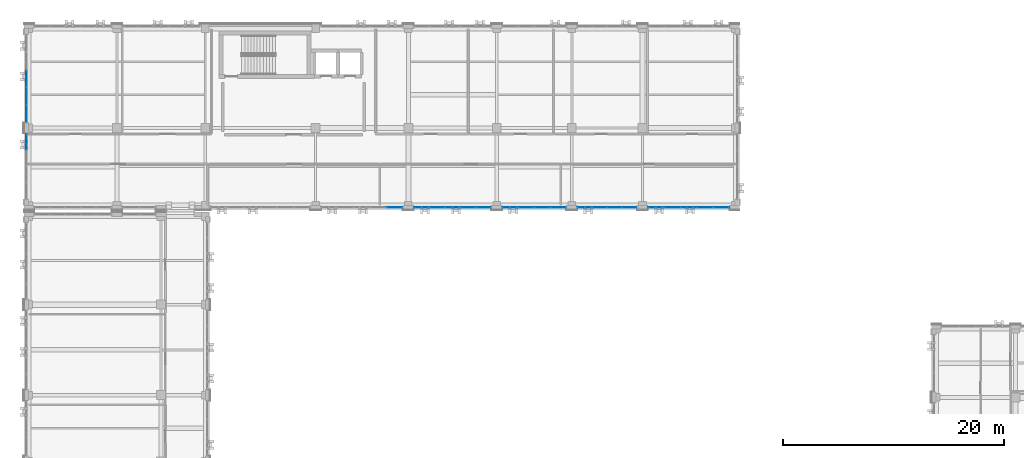
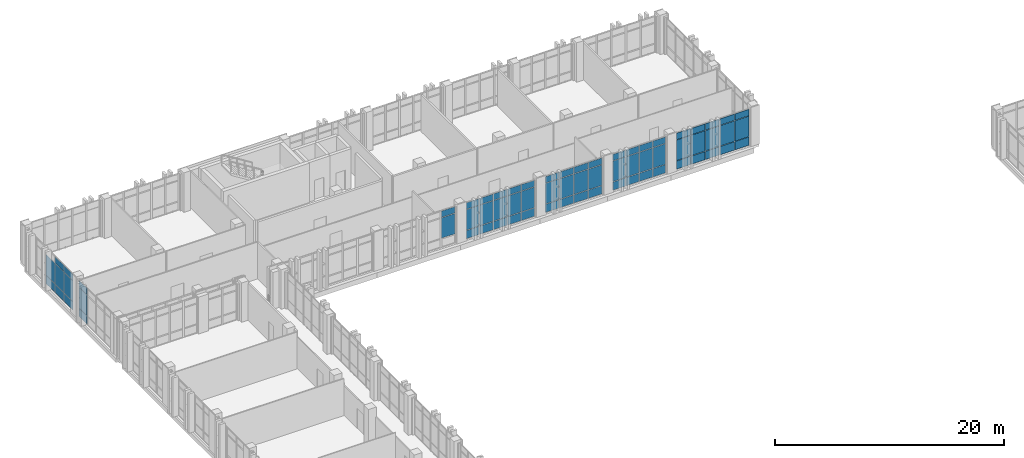
# One storey, part 123 of 158: 67 plates, 7 elements without a shape of their own.
"""IFC4 building model written with IfcOpenShell, lengths in metres."""

from ifc_helpers import new_model, si_unit, direction, frame, origin, origin_2d, place, context, subcontext, project, spatial, rectangle, extrude, material, layer, layer_set, type_object, element, aggregate, save


model = new_model("IFC4")

# Units and contexts
model_context = context("Model", 3, precision=1e-05, world=origin(), true_north=direction((0.0, 1.0)))
body_context = subcontext(model_context, "Body", "Model", "MODEL_VIEW")
ifc_project = project(units=[si_unit("LENGTHUNIT", "METRE"), si_unit("AREAUNIT", "SQUARE_METRE"), si_unit("VOLUMEUNIT", "CUBIC_METRE"), si_unit("PLANEANGLEUNIT", "RADIAN"), si_unit("MASSUNIT", "GRAM", prefix="KILO")], contexts=[model_context])

# Site, building, storey
site_placement = place(None, origin())
site = spatial("IfcSite", under=ifc_project, at=site_placement, CompositionType="ELEMENT")
building_placement = place(site_placement, origin())
building = spatial("IfcBuilding", under=site, at=building_placement, Name="Qalavern Law Courts", CompositionType="ELEMENT")
storey_placement = place(building_placement, frame((0.0, 0.0, 18.60009765625)))
storey = spatial("IfcBuildingStorey", under=building, at=storey_placement, Name="L04", CompositionType="ELEMENT", Elevation=18.60009765625)

# Curtain wall, plates
ifc_material_1 = material(Name="Anodised aluminium and insulated glazing", Category="aluminium")
ifc_layer_1 = layer(ifc_material_1, 0.166015625)
ifc_layer_set_1 = layer_set([ifc_layer_1], Name="Anodised aluminium and insulated glazing")
curtain_wall_type = type_object("IfcCurtainWallType", Name="ENV-CW-LIB", PredefinedType="USERDEFINED", material=ifc_layer_set_1)
curtain_wall_1_placement = place(storey_placement, origin())
curtain_wall_1 = element("IfcCurtainWall", 1, at=curtain_wall_1_placement, inside=storey, type_object=curtain_wall_type, Name="V5 unitised curtain wall L04 west 1", ObjectType="UNITISED CURTAIN WALL", PredefinedType="USERDEFINED")
ifc_material_2 = material(Name="Insulated low-E acoustic glazing", Category="glass")
ifc_layer_2 = layer(ifc_material_2, 0.02392578125)
ifc_layer_set_2 = layer_set([ifc_layer_2], Name="Insulated low-E acoustic glazing")
plate_type_1 = type_object("IfcPlateType", Name="ENV-CWP-24", PredefinedType="CURTAIN_PANEL", material=ifc_layer_set_2)
plate_1_placement = place(storey_placement, frame((2.199951171875, 108.077392578125, 0.0478515625), z_axis=(0.0, 0.0, 1.0), x_axis=(0.0, -1.0, 0.0)))
plate_1 = element("IfcPlate", 2, at=plate_1_placement, type_object=plate_type_1, Name="CW-05 panel 3.1", PredefinedType="CURTAIN_PANEL", context=body_context, shape_type="SweptSolid", body=[
    extrude(rectangle(XDim=1.54296875, YDim=0.02392578125, at=origin_2d()), origin(), (0.0, 0.0, 1.0), 0.8779296875),
])
plate_2_placement = place(storey_placement, frame((2.199951171875, 108.077392578125, 0.97412109375), z_axis=(0.0, 0.0, 1.0), x_axis=(0.0, -1.0, 0.0)))
plate_2 = element("IfcPlate", 3, at=plate_2_placement, type_object=plate_type_1, Name="CW-05 panel 3.2", PredefinedType="CURTAIN_PANEL", context=body_context, shape_type="SweptSolid", body=[
    extrude(rectangle(XDim=1.54296875, YDim=0.02392578125, at=origin_2d()), origin(), (0.0, 0.0, 1.0), 2.177001953125),
])
plate_3_placement = place(storey_placement, frame((2.199951171875, 106.486572265625, 0.0478515625), z_axis=(0.0, 0.0, 1.0), x_axis=(0.0, -1.0, 0.0)))
plate_3 = element("IfcPlate", 4, at=plate_3_placement, type_object=plate_type_1, Name="CW-05 panel 4.1", PredefinedType="CURTAIN_PANEL", context=body_context, shape_type="SweptSolid", body=[
    extrude(rectangle(XDim=1.54296875, YDim=0.02392578125, at=origin_2d()), origin(), (0.0, 0.0, 1.0), 0.8779296875),
])
plate_4_placement = place(storey_placement, frame((2.199951171875, 106.486572265625, 0.97412109375), z_axis=(0.0, 0.0, 1.0), x_axis=(0.0, -1.0, 0.0)))
plate_4 = element("IfcPlate", 5, at=plate_4_placement, type_object=plate_type_1, Name="CW-05 panel 4.2", PredefinedType="CURTAIN_PANEL", context=body_context, shape_type="SweptSolid", body=[
    extrude(rectangle(XDim=1.54296875, YDim=0.02392578125, at=origin_2d()), origin(), (0.0, 0.0, 1.0), 2.177001953125),
])
plate_5_placement = place(storey_placement, frame((2.199951171875, 106.486572265625, 3.19873046875), z_axis=(0.0, 0.0, 1.0), x_axis=(0.0, -1.0, 0.0)))
plate_5 = element("IfcPlate", 6, at=plate_5_placement, type_object=plate_type_1, Name="CW-05 panel 4.3", PredefinedType="CURTAIN_PANEL", context=body_context, shape_type="SweptSolid", body=[
    extrude(rectangle(XDim=1.54296875, YDim=0.02392578125, at=origin_2d()), origin(), (0.0, 0.0, 1.0), 0.677978515625),
])
plate_6_placement = place(storey_placement, frame((2.199951171875, 104.907470703125, 0.0478515625), z_axis=(0.0, 0.0, 1.0), x_axis=(0.0, -1.0, 0.0)))
plate_6 = element("IfcPlate", 7, at=plate_6_placement, type_object=plate_type_1, Name="CW-05 panel 5.1", PredefinedType="CURTAIN_PANEL", context=body_context, shape_type="SweptSolid", body=[
    extrude(rectangle(XDim=1.51904296875, YDim=0.02392578125, at=origin_2d()), origin(), (0.0, 0.0, 1.0), 0.8779296875),
])
plate_7_placement = place(storey_placement, frame((2.199951171875, 104.907470703125, 0.97412109375), z_axis=(0.0, 0.0, 1.0), x_axis=(0.0, -1.0, 0.0)))
plate_7 = element("IfcPlate", 8, at=plate_7_placement, type_object=plate_type_1, Name="CW-05 panel 5.2", PredefinedType="CURTAIN_PANEL", context=body_context, shape_type="SweptSolid", body=[
    extrude(rectangle(XDim=1.51904296875, YDim=0.02392578125, at=origin_2d()), origin(), (0.0, 0.0, 1.0), 2.177001953125),
])
plate_8_placement = place(storey_placement, frame((2.199951171875, 104.907470703125, 3.19873046875), z_axis=(0.0, 0.0, 1.0), x_axis=(0.0, -1.0, 0.0)))
plate_8 = element("IfcPlate", 9, at=plate_8_placement, type_object=plate_type_1, Name="CW-05 panel 5.3", PredefinedType="CURTAIN_PANEL", context=body_context, shape_type="SweptSolid", body=[
    extrude(rectangle(XDim=1.51904296875, YDim=0.02392578125, at=origin_2d()), origin(), (0.0, 0.0, 1.0), 0.677978515625),
])
aggregate(curtain_wall_1, [plate_1, plate_2, plate_3, plate_4, plate_5, plate_6, plate_7, plate_8])

curtain_wall_2_placement = place(storey_placement, origin())
curtain_wall_2 = element("IfcCurtainWall", 10, at=curtain_wall_2_placement, inside=storey, type_object=curtain_wall_type, Name="V5 unitised curtain wall L04 west 2", ObjectType="UNITISED CURTAIN WALL", PredefinedType="USERDEFINED")
ifc_layer_3 = layer(ifc_material_2, 0.028076171875)
ifc_layer_set_3 = layer_set([ifc_layer_3], Name="Insulated low-E acoustic glazing")
plate_type_2 = type_object("IfcPlateType", Name="ENV-CWP-28", PredefinedType="CURTAIN_PANEL", material=ifc_layer_set_3)
plate_9_placement = place(storey_placement, frame((2.199951171875, 102.343505859375, 0.0478515625), z_axis=(0.0, 0.0, 1.0), x_axis=(0.0, -1.0, 0.0)))
plate_9 = element("IfcPlate", 11, at=plate_9_placement, type_object=plate_type_2, Name="CW-05 panel 1.1", PredefinedType="CURTAIN_PANEL", context=body_context, shape_type="SweptSolid", body=[
    extrude(rectangle(XDim=1.416748046875, YDim=0.028076171875, at=origin_2d()), origin(), (0.0, 0.0, 1.0), 0.8779296875),
])
plate_10_placement = place(storey_placement, frame((2.199951171875, 102.343505859375, 0.97412109375), z_axis=(0.0, 0.0, 1.0), x_axis=(0.0, -1.0, 0.0)))
plate_10 = element("IfcPlate", 12, at=plate_10_placement, type_object=plate_type_2, Name="CW-05 panel 1.2", PredefinedType="CURTAIN_PANEL", context=body_context, shape_type="SweptSolid", body=[
    extrude(rectangle(XDim=1.416748046875, YDim=0.028076171875, at=origin_2d()), origin(), (0.0, 0.0, 1.0), 2.177001953125),
])
plate_11_placement = place(storey_placement, frame((2.199951171875, 102.343505859375, 3.19873046875), z_axis=(0.0, 0.0, 1.0), x_axis=(0.0, -1.0, 0.0)))
plate_11 = element("IfcPlate", 13, at=plate_11_placement, type_object=plate_type_2, Name="CW-05 panel 1.3", PredefinedType="CURTAIN_PANEL", context=body_context, shape_type="SweptSolid", body=[
    extrude(rectangle(XDim=1.416748046875, YDim=0.028076171875, at=origin_2d()), origin(), (0.0, 0.0, 1.0), 0.677978515625),
])
aggregate(curtain_wall_2, [plate_9, plate_10, plate_11])

curtain_wall_3_placement = place(storey_placement, origin())
curtain_wall_3 = element("IfcCurtainWall", 14, at=curtain_wall_3_placement, inside=storey, type_object=curtain_wall_type, Name="V5 unitised curtain wall L04 south 2", ObjectType="UNITISED CURTAIN WALL", PredefinedType="USERDEFINED")
ifc_layer_4 = layer(ifc_material_2, 0.031982421875)
ifc_layer_set_4 = layer_set([ifc_layer_4], Name="Insulated low-E acoustic glazing")
plate_type_3 = type_object("IfcPlateType", Name="ENV-CWP-32", PredefinedType="CURTAIN_PANEL", material=ifc_layer_set_4)
plate_12_placement = place(storey_placement, frame((35.548095703125, 96.39990234375, 0.97412109375), z_axis=(0.0, 0.0, 1.0), x_axis=(1.0, 0.0, 0.0)))
plate_12 = element("IfcPlate", 15, at=plate_12_placement, type_object=plate_type_3, Name="CW-05 panel 5.2", PredefinedType="CURTAIN_PANEL", context=body_context, shape_type="SweptSolid", body=[
    extrude(rectangle(XDim=1.407958984375, YDim=0.031982421875, at=origin_2d()), origin(), (0.0, 0.0, 1.0), 2.177001953125),
])
plate_13_placement = place(storey_placement, frame((35.548095703125, 96.39990234375, 3.19873046875), z_axis=(0.0, 0.0, 1.0), x_axis=(1.0, 0.0, 0.0)))
plate_13 = element("IfcPlate", 16, at=plate_13_placement, type_object=plate_type_3, Name="CW-05 panel 5.3", PredefinedType="CURTAIN_PANEL", context=body_context, shape_type="SweptSolid", body=[
    extrude(rectangle(XDim=1.407958984375, YDim=0.031982421875, at=origin_2d()), origin(), (0.0, 0.0, 1.0), 0.677978515625),
])
aggregate(curtain_wall_3, [plate_12, plate_13])

curtain_wall_4_placement = place(storey_placement, origin())
curtain_wall_4 = element("IfcCurtainWall", 17, at=curtain_wall_4_placement, inside=storey, type_object=curtain_wall_type, Name="V5 unitised curtain wall L04 south 3", ObjectType="UNITISED CURTAIN WALL", PredefinedType="USERDEFINED")
ifc_layer_5 = layer(ifc_material_2, 0.035888671875)
ifc_layer_set_5 = layer_set([ifc_layer_5], Name="Insulated low-E acoustic glazing")
plate_type_4 = type_object("IfcPlateType", Name="ENV-CWP-36", PredefinedType="CURTAIN_PANEL", material=ifc_layer_set_5)
plate_14_placement = place(storey_placement, frame((38.011962890625, 96.39990234375, 0.0478515625), z_axis=(0.0, 0.0, 1.0), x_axis=(1.0, 0.0, 0.0)))
plate_14 = element("IfcPlate", 18, at=plate_14_placement, type_object=plate_type_4, Name="CW-05 panel 1.1", PredefinedType="CURTAIN_PANEL", context=body_context, shape_type="SweptSolid", body=[
    extrude(rectangle(XDim=1.327880859375, YDim=0.035888671875, at=origin_2d()), origin(), (0.0, 0.0, 1.0), 0.8779296875),
])
plate_15_placement = place(storey_placement, frame((38.011962890625, 96.39990234375, 0.97412109375), z_axis=(0.0, 0.0, 1.0), x_axis=(1.0, 0.0, 0.0)))
plate_15 = element("IfcPlate", 19, at=plate_15_placement, type_object=plate_type_4, Name="CW-05 panel 1.2", PredefinedType="CURTAIN_PANEL", context=body_context, shape_type="SweptSolid", body=[
    extrude(rectangle(XDim=1.327880859375, YDim=0.035888671875, at=origin_2d()), origin(), (0.0, 0.0, 1.0), 2.177001953125),
])
plate_16_placement = place(storey_placement, frame((38.011962890625, 96.39990234375, 3.19873046875), z_axis=(0.0, 0.0, 1.0), x_axis=(1.0, 0.0, 0.0)))
plate_16 = element("IfcPlate", 20, at=plate_16_placement, type_object=plate_type_4, Name="CW-05 panel 1.3", PredefinedType="CURTAIN_PANEL", context=body_context, shape_type="SweptSolid", body=[
    extrude(rectangle(XDim=1.327880859375, YDim=0.035888671875, at=origin_2d()), origin(), (0.0, 0.0, 1.0), 0.677978515625),
])
plate_17_placement = place(storey_placement, frame((39.39990234375, 96.39990234375, 0.0478515625), z_axis=(0.0, 0.0, 1.0), x_axis=(1.0, 0.0, 0.0)))
plate_17 = element("IfcPlate", 21, at=plate_17_placement, type_object=plate_type_4, Name="CW-05 panel 2.1", PredefinedType="CURTAIN_PANEL", context=body_context, shape_type="SweptSolid", body=[
    extrude(rectangle(XDim=1.35205078125, YDim=0.035888671875, at=origin_2d()), origin(), (0.0, 0.0, 1.0), 0.8779296875),
])
plate_18_placement = place(storey_placement, frame((39.39990234375, 96.39990234375, 0.97412109375), z_axis=(0.0, 0.0, 1.0), x_axis=(1.0, 0.0, 0.0)))
plate_18 = element("IfcPlate", 22, at=plate_18_placement, type_object=plate_type_4, Name="CW-05 panel 2.2", PredefinedType="CURTAIN_PANEL", context=body_context, shape_type="SweptSolid", body=[
    extrude(rectangle(XDim=1.35205078125, YDim=0.035888671875, at=origin_2d()), origin(), (0.0, 0.0, 1.0), 2.177001953125),
])
plate_19_placement = place(storey_placement, frame((39.39990234375, 96.39990234375, 3.19873046875), z_axis=(0.0, 0.0, 1.0), x_axis=(1.0, 0.0, 0.0)))
plate_19 = element("IfcPlate", 23, at=plate_19_placement, type_object=plate_type_4, Name="CW-05 panel 2.3", PredefinedType="CURTAIN_PANEL", context=body_context, shape_type="SweptSolid", body=[
    extrude(rectangle(XDim=1.35205078125, YDim=0.035888671875, at=origin_2d()), origin(), (0.0, 0.0, 1.0), 0.677978515625),
])
plate_20_placement = place(storey_placement, frame((40.800048828125, 96.39990234375, 0.0478515625), z_axis=(0.0, 0.0, 1.0), x_axis=(1.0, 0.0, 0.0)))
plate_20 = element("IfcPlate", 24, at=plate_20_placement, type_object=plate_type_4, Name="CW-05 panel 3.1", PredefinedType="CURTAIN_PANEL", context=body_context, shape_type="SweptSolid", body=[
    extrude(rectangle(XDim=1.35205078125, YDim=0.035888671875, at=origin_2d()), origin(), (0.0, 0.0, 1.0), 0.8779296875),
])
plate_21_placement = place(storey_placement, frame((40.800048828125, 96.39990234375, 0.97412109375), z_axis=(0.0, 0.0, 1.0), x_axis=(1.0, 0.0, 0.0)))
plate_21 = element("IfcPlate", 25, at=plate_21_placement, type_object=plate_type_4, Name="CW-05 panel 3.2", PredefinedType="CURTAIN_PANEL", context=body_context, shape_type="SweptSolid", body=[
    extrude(rectangle(XDim=1.35205078125, YDim=0.035888671875, at=origin_2d()), origin(), (0.0, 0.0, 1.0), 2.177001953125),
])
plate_22_placement = place(storey_placement, frame((40.800048828125, 96.39990234375, 3.19873046875), z_axis=(0.0, 0.0, 1.0), x_axis=(1.0, 0.0, 0.0)))
plate_22 = element("IfcPlate", 26, at=plate_22_placement, type_object=plate_type_4, Name="CW-05 panel 3.3", PredefinedType="CURTAIN_PANEL", context=body_context, shape_type="SweptSolid", body=[
    extrude(rectangle(XDim=1.35205078125, YDim=0.035888671875, at=origin_2d()), origin(), (0.0, 0.0, 1.0), 0.677978515625),
])
plate_23_placement = place(storey_placement, frame((42.199951171875, 96.39990234375, 0.0478515625), z_axis=(0.0, 0.0, 1.0), x_axis=(1.0, 0.0, 0.0)))
plate_23 = element("IfcPlate", 27, at=plate_23_placement, type_object=plate_type_4, Name="CW-05 panel 4.1", PredefinedType="CURTAIN_PANEL", context=body_context, shape_type="SweptSolid", body=[
    extrude(rectangle(XDim=1.35205078125, YDim=0.035888671875, at=origin_2d()), origin(), (0.0, 0.0, 1.0), 0.8779296875),
])
plate_24_placement = place(storey_placement, frame((42.199951171875, 96.39990234375, 0.97412109375), z_axis=(0.0, 0.0, 1.0), x_axis=(1.0, 0.0, 0.0)))
plate_24 = element("IfcPlate", 28, at=plate_24_placement, type_object=plate_type_4, Name="CW-05 panel 4.2", PredefinedType="CURTAIN_PANEL", context=body_context, shape_type="SweptSolid", body=[
    extrude(rectangle(XDim=1.35205078125, YDim=0.035888671875, at=origin_2d()), origin(), (0.0, 0.0, 1.0), 2.177001953125),
])
plate_25_placement = place(storey_placement, frame((42.199951171875, 96.39990234375, 3.19873046875), z_axis=(0.0, 0.0, 1.0), x_axis=(1.0, 0.0, 0.0)))
plate_25 = element("IfcPlate", 29, at=plate_25_placement, type_object=plate_type_4, Name="CW-05 panel 4.3", PredefinedType="CURTAIN_PANEL", context=body_context, shape_type="SweptSolid", body=[
    extrude(rectangle(XDim=1.35205078125, YDim=0.035888671875, at=origin_2d()), origin(), (0.0, 0.0, 1.0), 0.677978515625),
])
plate_26_placement = place(storey_placement, frame((43.587890625, 96.39990234375, 0.0478515625), z_axis=(0.0, 0.0, 1.0), x_axis=(1.0, 0.0, 0.0)))
plate_26 = element("IfcPlate", 30, at=plate_26_placement, type_object=plate_type_4, Name="CW-05 panel 5.1", PredefinedType="CURTAIN_PANEL", context=body_context, shape_type="SweptSolid", body=[
    extrude(rectangle(XDim=1.327880859375, YDim=0.035888671875, at=origin_2d()), origin(), (0.0, 0.0, 1.0), 0.8779296875),
])
plate_27_placement = place(storey_placement, frame((43.587890625, 96.39990234375, 0.97412109375), z_axis=(0.0, 0.0, 1.0), x_axis=(1.0, 0.0, 0.0)))
plate_27 = element("IfcPlate", 31, at=plate_27_placement, type_object=plate_type_4, Name="CW-05 panel 5.2", PredefinedType="CURTAIN_PANEL", context=body_context, shape_type="SweptSolid", body=[
    extrude(rectangle(XDim=1.327880859375, YDim=0.035888671875, at=origin_2d()), origin(), (0.0, 0.0, 1.0), 2.177001953125),
])
plate_28_placement = place(storey_placement, frame((43.587890625, 96.39990234375, 3.19873046875), z_axis=(0.0, 0.0, 1.0), x_axis=(1.0, 0.0, 0.0)))
plate_28 = element("IfcPlate", 32, at=plate_28_placement, type_object=plate_type_4, Name="CW-05 panel 5.3", PredefinedType="CURTAIN_PANEL", context=body_context, shape_type="SweptSolid", body=[
    extrude(rectangle(XDim=1.327880859375, YDim=0.035888671875, at=origin_2d()), origin(), (0.0, 0.0, 1.0), 0.677978515625),
])
aggregate(curtain_wall_4, [plate_14, plate_15, plate_16, plate_17, plate_18, plate_19, plate_20, plate_21, plate_22, plate_23, plate_24, plate_25, plate_26, plate_27, plate_28])

curtain_wall_5_placement = place(storey_placement, origin())
curtain_wall_5 = element("IfcCurtainWall", 33, at=curtain_wall_5_placement, inside=storey, type_object=curtain_wall_type, Name="V5 unitised curtain wall L04 south 4", ObjectType="UNITISED CURTAIN WALL", PredefinedType="USERDEFINED")
ifc_layer_6 = layer(ifc_material_2, 0.0400390625)
ifc_layer_set_6 = layer_set([ifc_layer_6], Name="Insulated low-E acoustic glazing")
plate_type_5 = type_object("IfcPlateType", Name="ENV-CWP-40", PredefinedType="CURTAIN_PANEL", material=ifc_layer_set_6)
plate_29_placement = place(storey_placement, frame((46.037109375, 96.39990234375, 0.0478515625), z_axis=(0.0, 0.0, 1.0), x_axis=(1.0, 0.0, 0.0)))
plate_29 = element("IfcPlate", 34, at=plate_29_placement, type_object=plate_type_5, Name="CW-05 panel 1.1", PredefinedType="CURTAIN_PANEL", context=body_context, shape_type="SweptSolid", body=[
    extrude(rectangle(XDim=1.3779296875, YDim=0.0400390625, at=origin_2d()), origin(), (0.0, 0.0, 1.0), 0.8779296875),
])
plate_30_placement = place(storey_placement, frame((46.037109375, 96.39990234375, 0.97412109375), z_axis=(0.0, 0.0, 1.0), x_axis=(1.0, 0.0, 0.0)))
plate_30 = element("IfcPlate", 35, at=plate_30_placement, type_object=plate_type_5, Name="CW-05 panel 1.2", PredefinedType="CURTAIN_PANEL", context=body_context, shape_type="SweptSolid", body=[
    extrude(rectangle(XDim=1.3779296875, YDim=0.0400390625, at=origin_2d()), origin(), (0.0, 0.0, 1.0), 2.177001953125),
])
plate_31_placement = place(storey_placement, frame((46.037109375, 96.39990234375, 3.19873046875), z_axis=(0.0, 0.0, 1.0), x_axis=(1.0, 0.0, 0.0)))
plate_31 = element("IfcPlate", 36, at=plate_31_placement, type_object=plate_type_5, Name="CW-05 panel 1.3", PredefinedType="CURTAIN_PANEL", context=body_context, shape_type="SweptSolid", body=[
    extrude(rectangle(XDim=1.3779296875, YDim=0.0400390625, at=origin_2d()), origin(), (0.0, 0.0, 1.0), 0.677978515625),
])
plate_32_placement = place(storey_placement, frame((47.47509765625, 96.39990234375, 0.0478515625), z_axis=(0.0, 0.0, 1.0), x_axis=(1.0, 0.0, 0.0)))
plate_32 = element("IfcPlate", 37, at=plate_32_placement, type_object=plate_type_5, Name="CW-05 panel 2.1", PredefinedType="CURTAIN_PANEL", context=body_context, shape_type="SweptSolid", body=[
    extrude(rectangle(XDim=1.402099609375, YDim=0.0400390625, at=origin_2d()), origin(), (0.0, 0.0, 1.0), 0.8779296875),
])
plate_33_placement = place(storey_placement, frame((47.47509765625, 96.39990234375, 0.97412109375), z_axis=(0.0, 0.0, 1.0), x_axis=(1.0, 0.0, 0.0)))
plate_33 = element("IfcPlate", 38, at=plate_33_placement, type_object=plate_type_5, Name="CW-05 panel 2.2", PredefinedType="CURTAIN_PANEL", context=body_context, shape_type="SweptSolid", body=[
    extrude(rectangle(XDim=1.402099609375, YDim=0.0400390625, at=origin_2d()), origin(), (0.0, 0.0, 1.0), 2.177001953125),
])
plate_34_placement = place(storey_placement, frame((47.47509765625, 96.39990234375, 3.19873046875), z_axis=(0.0, 0.0, 1.0), x_axis=(1.0, 0.0, 0.0)))
plate_34 = element("IfcPlate", 39, at=plate_34_placement, type_object=plate_type_5, Name="CW-05 panel 2.3", PredefinedType="CURTAIN_PANEL", context=body_context, shape_type="SweptSolid", body=[
    extrude(rectangle(XDim=1.402099609375, YDim=0.0400390625, at=origin_2d()), origin(), (0.0, 0.0, 1.0), 0.677978515625),
])
plate_35_placement = place(storey_placement, frame((48.925048828125, 96.39990234375, 0.0478515625), z_axis=(0.0, 0.0, 1.0), x_axis=(1.0, 0.0, 0.0)))
plate_35 = element("IfcPlate", 40, at=plate_35_placement, type_object=plate_type_5, Name="CW-05 panel 3.1", PredefinedType="CURTAIN_PANEL", context=body_context, shape_type="SweptSolid", body=[
    extrude(rectangle(XDim=1.402099609375, YDim=0.0400390625, at=origin_2d()), origin(), (0.0, 0.0, 1.0), 0.8779296875),
])
plate_36_placement = place(storey_placement, frame((48.925048828125, 96.39990234375, 0.97412109375), z_axis=(0.0, 0.0, 1.0), x_axis=(1.0, 0.0, 0.0)))
plate_36 = element("IfcPlate", 41, at=plate_36_placement, type_object=plate_type_5, Name="CW-05 panel 3.2", PredefinedType="CURTAIN_PANEL", context=body_context, shape_type="SweptSolid", body=[
    extrude(rectangle(XDim=1.402099609375, YDim=0.0400390625, at=origin_2d()), origin(), (0.0, 0.0, 1.0), 2.177001953125),
])
plate_37_placement = place(storey_placement, frame((48.925048828125, 96.39990234375, 3.19873046875), z_axis=(0.0, 0.0, 1.0), x_axis=(1.0, 0.0, 0.0)))
plate_37 = element("IfcPlate", 42, at=plate_37_placement, type_object=plate_type_5, Name="CW-05 panel 3.3", PredefinedType="CURTAIN_PANEL", context=body_context, shape_type="SweptSolid", body=[
    extrude(rectangle(XDim=1.402099609375, YDim=0.0400390625, at=origin_2d()), origin(), (0.0, 0.0, 1.0), 0.677978515625),
])
plate_38_placement = place(storey_placement, frame((50.363037109375, 96.39990234375, 0.0478515625), z_axis=(0.0, 0.0, 1.0), x_axis=(1.0, 0.0, 0.0)))
plate_38 = element("IfcPlate", 43, at=plate_38_placement, type_object=plate_type_5, Name="CW-05 panel 4.1", PredefinedType="CURTAIN_PANEL", context=body_context, shape_type="SweptSolid", body=[
    extrude(rectangle(XDim=1.3779296875, YDim=0.0400390625, at=origin_2d()), origin(), (0.0, 0.0, 1.0), 0.8779296875),
])
plate_39_placement = place(storey_placement, frame((50.363037109375, 96.39990234375, 0.97412109375), z_axis=(0.0, 0.0, 1.0), x_axis=(1.0, 0.0, 0.0)))
plate_39 = element("IfcPlate", 44, at=plate_39_placement, type_object=plate_type_5, Name="CW-05 panel 4.2", PredefinedType="CURTAIN_PANEL", context=body_context, shape_type="SweptSolid", body=[
    extrude(rectangle(XDim=1.3779296875, YDim=0.0400390625, at=origin_2d()), origin(), (0.0, 0.0, 1.0), 2.177001953125),
])
plate_40_placement = place(storey_placement, frame((50.363037109375, 96.39990234375, 3.19873046875), z_axis=(0.0, 0.0, 1.0), x_axis=(1.0, 0.0, 0.0)))
plate_40 = element("IfcPlate", 45, at=plate_40_placement, type_object=plate_type_5, Name="CW-05 panel 4.3", PredefinedType="CURTAIN_PANEL", context=body_context, shape_type="SweptSolid", body=[
    extrude(rectangle(XDim=1.3779296875, YDim=0.0400390625, at=origin_2d()), origin(), (0.0, 0.0, 1.0), 0.677978515625),
])
aggregate(curtain_wall_5, [plate_29, plate_30, plate_31, plate_32, plate_33, plate_34, plate_35, plate_36, plate_37, plate_38, plate_39, plate_40])

curtain_wall_6_placement = place(storey_placement, origin())
curtain_wall_6 = element("IfcCurtainWall", 46, at=curtain_wall_6_placement, inside=storey, type_object=curtain_wall_type, Name="V5 unitised curtain wall L04 south 5", ObjectType="UNITISED CURTAIN WALL", PredefinedType="USERDEFINED")
ifc_layer_7 = layer(ifc_material_2, 0.0439453125)
ifc_layer_set_7 = layer_set([ifc_layer_7], Name="Insulated low-E acoustic glazing")
plate_type_6 = type_object("IfcPlateType", Name="ENV-CWP-44", PredefinedType="CURTAIN_PANEL", material=ifc_layer_set_7)
plate_41_placement = place(storey_placement, frame((52.787109375, 96.39990234375, 0.0478515625), z_axis=(0.0, 0.0, 1.0), x_axis=(1.0, 0.0, 0.0)))
plate_41 = element("IfcPlate", 47, at=plate_41_placement, type_object=plate_type_6, Name="CW-05 panel 1.1", PredefinedType="CURTAIN_PANEL", context=body_context, shape_type="SweptSolid", body=[
    extrude(rectangle(XDim=1.278076171875, YDim=0.0439453125, at=origin_2d()), origin(), (0.0, 0.0, 1.0), 0.8779296875),
])
plate_42_placement = place(storey_placement, frame((52.787109375, 96.39990234375, 0.97412109375), z_axis=(0.0, 0.0, 1.0), x_axis=(1.0, 0.0, 0.0)))
plate_42 = element("IfcPlate", 48, at=plate_42_placement, type_object=plate_type_6, Name="CW-05 panel 1.2", PredefinedType="CURTAIN_PANEL", context=body_context, shape_type="SweptSolid", body=[
    extrude(rectangle(XDim=1.278076171875, YDim=0.0439453125, at=origin_2d()), origin(), (0.0, 0.0, 1.0), 2.177001953125),
])
plate_43_placement = place(storey_placement, frame((52.787109375, 96.39990234375, 3.19873046875), z_axis=(0.0, 0.0, 1.0), x_axis=(1.0, 0.0, 0.0)))
plate_43 = element("IfcPlate", 49, at=plate_43_placement, type_object=plate_type_6, Name="CW-05 panel 1.3", PredefinedType="CURTAIN_PANEL", context=body_context, shape_type="SweptSolid", body=[
    extrude(rectangle(XDim=1.278076171875, YDim=0.0439453125, at=origin_2d()), origin(), (0.0, 0.0, 1.0), 0.677978515625),
])
plate_44_placement = place(storey_placement, frame((54.125, 96.39990234375, 0.0478515625), z_axis=(0.0, 0.0, 1.0), x_axis=(1.0, 0.0, 0.0)))
plate_44 = element("IfcPlate", 50, at=plate_44_placement, type_object=plate_type_6, Name="CW-05 panel 2.1", PredefinedType="CURTAIN_PANEL", context=body_context, shape_type="SweptSolid", body=[
    extrude(rectangle(XDim=1.302001953125, YDim=0.0439453125, at=origin_2d()), origin(), (0.0, 0.0, 1.0), 0.8779296875),
])
plate_45_placement = place(storey_placement, frame((54.125, 96.39990234375, 0.97412109375), z_axis=(0.0, 0.0, 1.0), x_axis=(1.0, 0.0, 0.0)))
plate_45 = element("IfcPlate", 51, at=plate_45_placement, type_object=plate_type_6, Name="CW-05 panel 2.2", PredefinedType="CURTAIN_PANEL", context=body_context, shape_type="SweptSolid", body=[
    extrude(rectangle(XDim=1.302001953125, YDim=0.0439453125, at=origin_2d()), origin(), (0.0, 0.0, 1.0), 2.177001953125),
])
plate_46_placement = place(storey_placement, frame((54.125, 96.39990234375, 3.19873046875), z_axis=(0.0, 0.0, 1.0), x_axis=(1.0, 0.0, 0.0)))
plate_46 = element("IfcPlate", 52, at=plate_46_placement, type_object=plate_type_6, Name="CW-05 panel 2.3", PredefinedType="CURTAIN_PANEL", context=body_context, shape_type="SweptSolid", body=[
    extrude(rectangle(XDim=1.302001953125, YDim=0.0439453125, at=origin_2d()), origin(), (0.0, 0.0, 1.0), 0.677978515625),
])
plate_47_placement = place(storey_placement, frame((55.47509765625, 96.39990234375, 0.0478515625), z_axis=(0.0, 0.0, 1.0), x_axis=(1.0, 0.0, 0.0)))
plate_47 = element("IfcPlate", 53, at=plate_47_placement, type_object=plate_type_6, Name="CW-05 panel 3.1", PredefinedType="CURTAIN_PANEL", context=body_context, shape_type="SweptSolid", body=[
    extrude(rectangle(XDim=1.302001953125, YDim=0.0439453125, at=origin_2d()), origin(), (0.0, 0.0, 1.0), 0.8779296875),
])
plate_48_placement = place(storey_placement, frame((55.47509765625, 96.39990234375, 0.97412109375), z_axis=(0.0, 0.0, 1.0), x_axis=(1.0, 0.0, 0.0)))
plate_48 = element("IfcPlate", 54, at=plate_48_placement, type_object=plate_type_6, Name="CW-05 panel 3.2", PredefinedType="CURTAIN_PANEL", context=body_context, shape_type="SweptSolid", body=[
    extrude(rectangle(XDim=1.302001953125, YDim=0.0439453125, at=origin_2d()), origin(), (0.0, 0.0, 1.0), 2.177001953125),
])
plate_49_placement = place(storey_placement, frame((55.47509765625, 96.39990234375, 3.19873046875), z_axis=(0.0, 0.0, 1.0), x_axis=(1.0, 0.0, 0.0)))
plate_49 = element("IfcPlate", 55, at=plate_49_placement, type_object=plate_type_6, Name="CW-05 panel 3.3", PredefinedType="CURTAIN_PANEL", context=body_context, shape_type="SweptSolid", body=[
    extrude(rectangle(XDim=1.302001953125, YDim=0.0439453125, at=origin_2d()), origin(), (0.0, 0.0, 1.0), 0.677978515625),
])
plate_50_placement = place(storey_placement, frame((56.81298828125, 96.39990234375, 0.0478515625), z_axis=(0.0, 0.0, 1.0), x_axis=(1.0, 0.0, 0.0)))
plate_50 = element("IfcPlate", 56, at=plate_50_placement, type_object=plate_type_6, Name="CW-05 panel 4.1", PredefinedType="CURTAIN_PANEL", context=body_context, shape_type="SweptSolid", body=[
    extrude(rectangle(XDim=1.278076171875, YDim=0.0439453125, at=origin_2d()), origin(), (0.0, 0.0, 1.0), 0.8779296875),
])
plate_51_placement = place(storey_placement, frame((56.81298828125, 96.39990234375, 0.97412109375), z_axis=(0.0, 0.0, 1.0), x_axis=(1.0, 0.0, 0.0)))
plate_51 = element("IfcPlate", 57, at=plate_51_placement, type_object=plate_type_6, Name="CW-05 panel 4.2", PredefinedType="CURTAIN_PANEL", context=body_context, shape_type="SweptSolid", body=[
    extrude(rectangle(XDim=1.278076171875, YDim=0.0439453125, at=origin_2d()), origin(), (0.0, 0.0, 1.0), 2.177001953125),
])
plate_52_placement = place(storey_placement, frame((56.81298828125, 96.39990234375, 3.19873046875), z_axis=(0.0, 0.0, 1.0), x_axis=(1.0, 0.0, 0.0)))
plate_52 = element("IfcPlate", 58, at=plate_52_placement, type_object=plate_type_6, Name="CW-05 panel 4.3", PredefinedType="CURTAIN_PANEL", context=body_context, shape_type="SweptSolid", body=[
    extrude(rectangle(XDim=1.278076171875, YDim=0.0439453125, at=origin_2d()), origin(), (0.0, 0.0, 1.0), 0.677978515625),
])
aggregate(curtain_wall_6, [plate_41, plate_42, plate_43, plate_44, plate_45, plate_46, plate_47, plate_48, plate_49, plate_50, plate_51, plate_52])

curtain_wall_7_placement = place(storey_placement, origin())
curtain_wall_7 = element("IfcCurtainWall", 59, at=curtain_wall_7_placement, inside=storey, type_object=curtain_wall_type, Name="V5 unitised curtain wall L04 south 6", ObjectType="UNITISED CURTAIN WALL", PredefinedType="USERDEFINED")
ifc_layer_8 = layer(ifc_material_2, 0.048095703125)
ifc_layer_set_8 = layer_set([ifc_layer_8], Name="Insulated low-E acoustic glazing")
plate_type_7 = type_object("IfcPlateType", Name="ENV-CWP-48", PredefinedType="CURTAIN_PANEL", material=ifc_layer_set_8)
plate_53_placement = place(storey_placement, frame((59.251953125, 96.39990234375, 0.0478515625), z_axis=(0.0, 0.0, 1.0), x_axis=(1.0, 0.0, 0.0)))
plate_53 = element("IfcPlate", 60, at=plate_53_placement, type_object=plate_type_7, Name="CW-05 panel 1.1", PredefinedType="CURTAIN_PANEL", context=body_context, shape_type="SweptSolid", body=[
    extrude(rectangle(XDim=1.407958984375, YDim=0.048095703125, at=origin_2d()), origin(), (0.0, 0.0, 1.0), 0.8779296875),
])
plate_54_placement = place(storey_placement, frame((59.251953125, 96.39990234375, 0.97412109375), z_axis=(0.0, 0.0, 1.0), x_axis=(1.0, 0.0, 0.0)))
plate_54 = element("IfcPlate", 61, at=plate_54_placement, type_object=plate_type_7, Name="CW-05 panel 1.2", PredefinedType="CURTAIN_PANEL", context=body_context, shape_type="SweptSolid", body=[
    extrude(rectangle(XDim=1.407958984375, YDim=0.048095703125, at=origin_2d()), origin(), (0.0, 0.0, 1.0), 2.177001953125),
])
plate_55_placement = place(storey_placement, frame((59.251953125, 96.39990234375, 3.19873046875), z_axis=(0.0, 0.0, 1.0), x_axis=(1.0, 0.0, 0.0)))
plate_55 = element("IfcPlate", 62, at=plate_55_placement, type_object=plate_type_7, Name="CW-05 panel 1.3", PredefinedType="CURTAIN_PANEL", context=body_context, shape_type="SweptSolid", body=[
    extrude(rectangle(XDim=1.407958984375, YDim=0.048095703125, at=origin_2d()), origin(), (0.0, 0.0, 1.0), 0.677978515625),
])
plate_56_placement = place(storey_placement, frame((60.719970703125, 96.39990234375, 0.0478515625), z_axis=(0.0, 0.0, 1.0), x_axis=(1.0, 0.0, 0.0)))
plate_56 = element("IfcPlate", 63, at=plate_56_placement, type_object=plate_type_7, Name="CW-05 panel 2.1", PredefinedType="CURTAIN_PANEL", context=body_context, shape_type="SweptSolid", body=[
    extrude(rectangle(XDim=1.431884765625, YDim=0.048095703125, at=origin_2d()), origin(), (0.0, 0.0, 1.0), 0.8779296875),
])
plate_57_placement = place(storey_placement, frame((60.719970703125, 96.39990234375, 0.97412109375), z_axis=(0.0, 0.0, 1.0), x_axis=(1.0, 0.0, 0.0)))
plate_57 = element("IfcPlate", 64, at=plate_57_placement, type_object=plate_type_7, Name="CW-05 panel 2.2", PredefinedType="CURTAIN_PANEL", context=body_context, shape_type="SweptSolid", body=[
    extrude(rectangle(XDim=1.431884765625, YDim=0.048095703125, at=origin_2d()), origin(), (0.0, 0.0, 1.0), 2.177001953125),
])
plate_58_placement = place(storey_placement, frame((60.719970703125, 96.39990234375, 3.19873046875), z_axis=(0.0, 0.0, 1.0), x_axis=(1.0, 0.0, 0.0)))
plate_58 = element("IfcPlate", 65, at=plate_58_placement, type_object=plate_type_7, Name="CW-05 panel 2.3", PredefinedType="CURTAIN_PANEL", context=body_context, shape_type="SweptSolid", body=[
    extrude(rectangle(XDim=1.431884765625, YDim=0.048095703125, at=origin_2d()), origin(), (0.0, 0.0, 1.0), 0.677978515625),
])
plate_59_placement = place(storey_placement, frame((62.199951171875, 96.39990234375, 0.0478515625), z_axis=(0.0, 0.0, 1.0), x_axis=(1.0, 0.0, 0.0)))
plate_59 = element("IfcPlate", 66, at=plate_59_placement, type_object=plate_type_7, Name="CW-05 panel 3.1", PredefinedType="CURTAIN_PANEL", context=body_context, shape_type="SweptSolid", body=[
    extrude(rectangle(XDim=1.431884765625, YDim=0.048095703125, at=origin_2d()), origin(), (0.0, 0.0, 1.0), 0.8779296875),
])
plate_60_placement = place(storey_placement, frame((62.199951171875, 96.39990234375, 0.97412109375), z_axis=(0.0, 0.0, 1.0), x_axis=(1.0, 0.0, 0.0)))
plate_60 = element("IfcPlate", 67, at=plate_60_placement, type_object=plate_type_7, Name="CW-05 panel 3.2", PredefinedType="CURTAIN_PANEL", context=body_context, shape_type="SweptSolid", body=[
    extrude(rectangle(XDim=1.431884765625, YDim=0.048095703125, at=origin_2d()), origin(), (0.0, 0.0, 1.0), 2.177001953125),
])
plate_61_placement = place(storey_placement, frame((62.199951171875, 96.39990234375, 3.19873046875), z_axis=(0.0, 0.0, 1.0), x_axis=(1.0, 0.0, 0.0)))
plate_61 = element("IfcPlate", 68, at=plate_61_placement, type_object=plate_type_7, Name="CW-05 panel 3.3", PredefinedType="CURTAIN_PANEL", context=body_context, shape_type="SweptSolid", body=[
    extrude(rectangle(XDim=1.431884765625, YDim=0.048095703125, at=origin_2d()), origin(), (0.0, 0.0, 1.0), 0.677978515625),
])
plate_62_placement = place(storey_placement, frame((63.679931640625, 96.39990234375, 0.0478515625), z_axis=(0.0, 0.0, 1.0), x_axis=(1.0, 0.0, 0.0)))
plate_62 = element("IfcPlate", 69, at=plate_62_placement, type_object=plate_type_7, Name="CW-05 panel 4.1", PredefinedType="CURTAIN_PANEL", context=body_context, shape_type="SweptSolid", body=[
    extrude(rectangle(XDim=1.431884765625, YDim=0.048095703125, at=origin_2d()), origin(), (0.0, 0.0, 1.0), 0.8779296875),
])
plate_63_placement = place(storey_placement, frame((63.679931640625, 96.39990234375, 0.97412109375), z_axis=(0.0, 0.0, 1.0), x_axis=(1.0, 0.0, 0.0)))
plate_63 = element("IfcPlate", 70, at=plate_63_placement, type_object=plate_type_7, Name="CW-05 panel 4.2", PredefinedType="CURTAIN_PANEL", context=body_context, shape_type="SweptSolid", body=[
    extrude(rectangle(XDim=1.431884765625, YDim=0.048095703125, at=origin_2d()), origin(), (0.0, 0.0, 1.0), 2.177001953125),
])
plate_64_placement = place(storey_placement, frame((63.679931640625, 96.39990234375, 3.19873046875), z_axis=(0.0, 0.0, 1.0), x_axis=(1.0, 0.0, 0.0)))
plate_64 = element("IfcPlate", 71, at=plate_64_placement, type_object=plate_type_7, Name="CW-05 panel 4.3", PredefinedType="CURTAIN_PANEL", context=body_context, shape_type="SweptSolid", body=[
    extrude(rectangle(XDim=1.431884765625, YDim=0.048095703125, at=origin_2d()), origin(), (0.0, 0.0, 1.0), 0.677978515625),
])
plate_65_placement = place(storey_placement, frame((65.14794921875, 96.39990234375, 0.0478515625), z_axis=(0.0, 0.0, 1.0), x_axis=(1.0, 0.0, 0.0)))
plate_65 = element("IfcPlate", 72, at=plate_65_placement, type_object=plate_type_7, Name="CW-05 panel 5.1", PredefinedType="CURTAIN_PANEL", context=body_context, shape_type="SweptSolid", body=[
    extrude(rectangle(XDim=1.407958984375, YDim=0.048095703125, at=origin_2d()), origin(), (0.0, 0.0, 1.0), 0.8779296875),
])
plate_66_placement = place(storey_placement, frame((65.14794921875, 96.39990234375, 0.97412109375), z_axis=(0.0, 0.0, 1.0), x_axis=(1.0, 0.0, 0.0)))
plate_66 = element("IfcPlate", 73, at=plate_66_placement, type_object=plate_type_7, Name="CW-05 panel 5.2", PredefinedType="CURTAIN_PANEL", context=body_context, shape_type="SweptSolid", body=[
    extrude(rectangle(XDim=1.407958984375, YDim=0.048095703125, at=origin_2d()), origin(), (0.0, 0.0, 1.0), 2.177001953125),
])
plate_67_placement = place(storey_placement, frame((65.14794921875, 96.39990234375, 3.19873046875), z_axis=(0.0, 0.0, 1.0), x_axis=(1.0, 0.0, 0.0)))
plate_67 = element("IfcPlate", 74, at=plate_67_placement, type_object=plate_type_7, Name="CW-05 panel 5.3", PredefinedType="CURTAIN_PANEL", context=body_context, shape_type="SweptSolid", body=[
    extrude(rectangle(XDim=1.407958984375, YDim=0.048095703125, at=origin_2d()), origin(), (0.0, 0.0, 1.0), 0.677978515625),
])
aggregate(curtain_wall_7, [plate_53, plate_54, plate_55, plate_56, plate_57, plate_58, plate_59, plate_60, plate_61, plate_62, plate_63, plate_64, plate_65, plate_66, plate_67])

save(model, "model.ifc")
